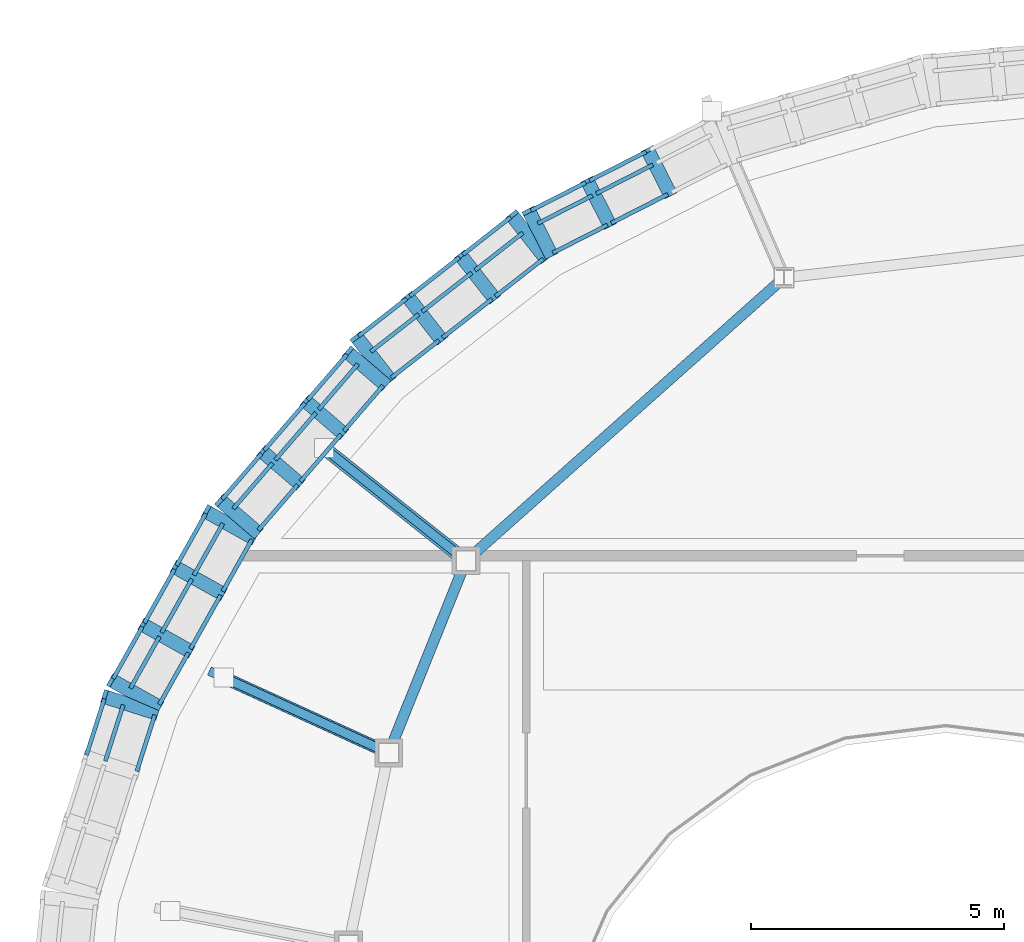
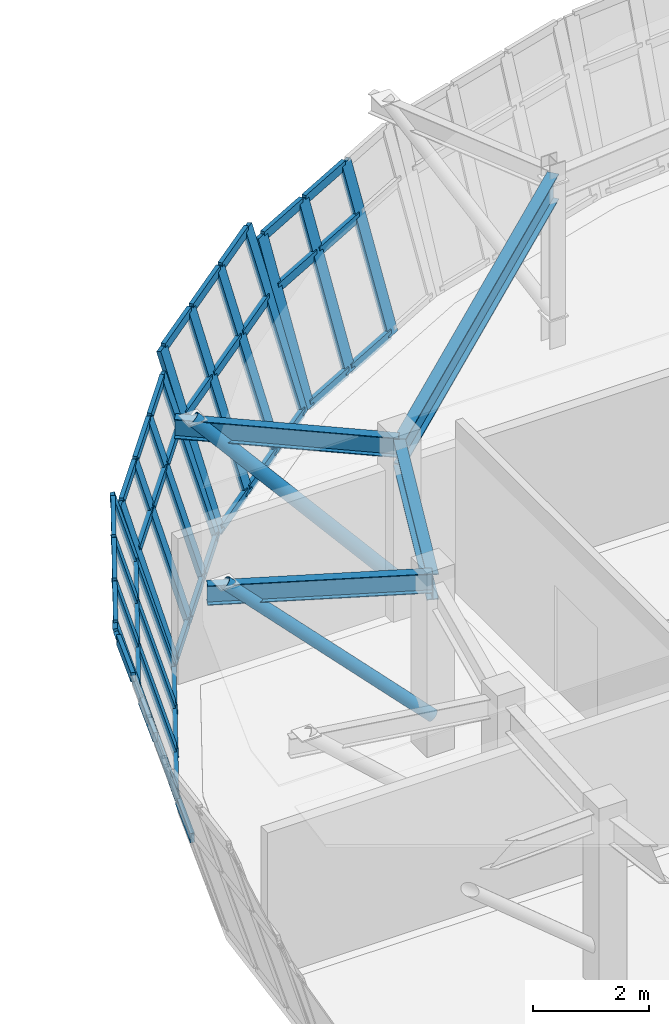
# One storey, part 24 of 111: 54 members, 4 beams, 5 elements without a shape of their own.
"""IFC4 building model written with IfcOpenShell, lengths in metres."""

from ifc_helpers import new_model, si_unit, direction, frame, origin, origin_2d, place, context, subcontext, project, spatial, rectangle, hollow_circle, i_section, extrude, material, material_profile, profile_set, type_object, element, aggregate, save


model = new_model("IFC4")

# Units and contexts
model_context = context("Model", 3, precision=1e-05, world=origin(), true_north=direction((0.0, 1.0)))
body_context = subcontext(model_context, "Body", "Model", "MODEL_VIEW")
ifc_project = project(units=[si_unit("LENGTHUNIT", "METRE"), si_unit("AREAUNIT", "SQUARE_METRE"), si_unit("VOLUMEUNIT", "CUBIC_METRE"), si_unit("PLANEANGLEUNIT", "RADIAN"), si_unit("MASSUNIT", "GRAM", prefix="KILO")], contexts=[model_context])

# Site, building, storey
site_placement = place(None, origin())
site = spatial("IfcSite", under=ifc_project, at=site_placement, CompositionType="ELEMENT")
building_placement = place(site_placement, origin())
building = spatial("IfcBuilding", under=site, at=building_placement, Name="Corveleigh Park Community Centre", CompositionType="ELEMENT")
storey_placement = place(building_placement, frame((0.0, 0.0, 4.800048828125)))
storey = spatial("IfcBuildingStorey", under=building, at=storey_placement, Name="L01", CompositionType="ELEMENT", Elevation=4.800048828125)

# Beams
ifc_material_1 = material(Name="Steel S355", Category="steel")
ifc_material_profile_1 = material_profile(ifc_material_1, i_section(OverallWidth=0.1787109375, OverallDepth=0.409423828125, WebThickness=0.0087890625, FlangeThickness=0.014404296875, at=origin_2d()), Name="UKB 406x178x67", Category="steel")
ifc_profile_set_1 = profile_set([ifc_material_profile_1], Name="Steel S355")
beam_type_1 = type_object("IfcBeamType", Name="BM-STL-UKB406x67", PredefinedType="BEAM", material=ifc_profile_set_1)
beam_1_placement = place(storey_placement, frame((17.7021484375, 38.206298828125, 3.482177734375), z_axis=(-0.783025443292, 0.621989674478, 0.0), x_axis=(-0.621989674478, -0.783025443292, 0.0)))
element("IfcBeam", 1, at=beam_1_placement, inside=storey, type_object=beam_type_1, Name="V1 Drum Overhang Radial Outrigger 14", PredefinedType="BEAM", context=body_context, shape_type="SweptSolid", body=[
    extrude(i_section(OverallWidth=0.1787109375, OverallDepth=0.409423828125, WebThickness=0.0087890625, FlangeThickness=0.014404296875, at=origin_2d()), origin(), (0.0, 0.0, 1.0), 3.89013671875),
])
beam_2_placement = place(storey_placement, frame((16.171875, 34.404296875, 3.482177734375), z_axis=(-0.909532782055, 0.415632191206, 0.0), x_axis=(-0.415632191206, -0.909532782055, 0.0)))
element("IfcBeam", 2, at=beam_2_placement, inside=storey, type_object=beam_type_1, Name="V1 Drum Overhang Radial Outrigger 15", PredefinedType="BEAM", context=body_context, shape_type="SweptSolid", body=[
    extrude(i_section(OverallWidth=0.1787109375, OverallDepth=0.409423828125, WebThickness=0.0087890625, FlangeThickness=0.014404296875, at=origin_2d()), origin(), (0.0, 0.0, 1.0), 3.8896484375),
])
ifc_material_profile_2 = material_profile(ifc_material_1, i_section(OverallWidth=0.210693359375, OverallDepth=0.53955078125, WebThickness=0.01171875, FlangeThickness=0.018798828125, at=origin_2d()), Name="UKB 533x210x109", Category="steel")
ifc_profile_set_2 = profile_set([ifc_material_profile_2], Name="Steel S355")
beam_type_2 = type_object("IfcBeamType", Name="BM-STL-UKB533x109", PredefinedType="BEAM", material=ifc_profile_set_2)
beam_3_placement = place(storey_placement, frame((23.996337890625, 43.796630859375, 3.34228515625), z_axis=(-0.746899880609, -0.664936514523, 0.0), x_axis=(0.664936514523, -0.746899880609, 0.0)))
element("IfcBeam", 3, at=beam_3_placement, inside=storey, type_object=beam_type_2, Name="V1 Drum Ring Girder", PredefinedType="BEAM", context=body_context, shape_type="SweptSolid", body=[
    extrude(i_section(OverallWidth=0.210693359375, OverallDepth=0.53955078125, WebThickness=0.01171875, FlangeThickness=0.018798828125, at=origin_2d()), origin(), (0.0, 0.0, 1.0), 8.41162109375),
])
beam_4_placement = place(storey_placement, frame((17.7080078125, 38.1953125, 3.34228515625), z_axis=(-0.373254520888, -0.927728981242, 0.0), x_axis=(0.927728981242, -0.373254520888, 0.0)))
element("IfcBeam", 4, at=beam_4_placement, inside=storey, type_object=beam_type_2, Name="V1 Drum Ring Girder", PredefinedType="BEAM", context=body_context, shape_type="SweptSolid", body=[
    extrude(i_section(OverallWidth=0.210693359375, OverallDepth=0.53955078125, WebThickness=0.01171875, FlangeThickness=0.018798828125, at=origin_2d()), origin(), (0.0, 0.0, 1.0), 4.086181640625),
])

# Curtain wall, members
ifc_material_2 = material(Name="Anodised aluminium 6063-T6", Category="aluminium")
curtain_wall_type = type_object("IfcCurtainWallType", Name="CW-SYS-V1-DRUM", PredefinedType="NOTDEFINED", material=ifc_material_2)
curtain_wall_1_placement = place(storey_placement, origin())
curtain_wall_1 = element("IfcCurtainWall", 5, at=curtain_wall_1_placement, inside=storey, type_object=curtain_wall_type, Name="Main Hall Flared Drum CW 172", PredefinedType="NOTDEFINED")
ifc_material_profile_3 = material_profile(ifc_material_2, rectangle(XDim=0.0849609375, YDim=0.27490234375, at=origin_2d()), Name="ALU-M85x275", Category="aluminium")
ifc_profile_set_3 = profile_set([ifc_material_profile_3], Name="Anodised aluminium 6063-T6")
member_type_1 = type_object("IfcMemberType", Name="CWM-85x275", PredefinedType="MULLION", material=ifc_profile_set_3)
member_1_placement = place(storey_placement, frame((21.746337890625, 45.4580078125, 0.0), z_axis=(-0.128879526709, 0.252956534902, 0.958855077186), x_axis=(0.435288932885, -0.854357421664, 0.283896003766)))
member_1 = element("IfcMember", 6, at=member_1_placement, type_object=member_type_1, Name="CW02 mullion 2", PredefinedType="MULLION", context=body_context, shape_type="SweptSolid", body=[
    extrude(rectangle(XDim=0.0849609375, YDim=0.27490234375, at=origin_2d()), origin(), (0.0, 0.0, 1.0), 3.406005859375),
])
member_2_placement = place(storey_placement, frame((20.55078125, 44.84912109375, 0.0), z_axis=(-0.128879526709, 0.252956534902, 0.958855077186), x_axis=(0.435288932885, -0.854357421664, 0.283896003766)))
member_2 = element("IfcMember", 7, at=member_2_placement, type_object=member_type_1, Name="CW02 mullion 3", PredefinedType="MULLION", context=body_context, shape_type="SweptSolid", body=[
    extrude(rectangle(XDim=0.0849609375, YDim=0.27490234375, at=origin_2d()), origin(), (0.0, 0.0, 1.0), 3.406005859375),
])
member_3_placement = place(storey_placement, frame((19.392822265625, 44.25927734375, 0.0), z_axis=(-0.128809036941, 0.252958871099, 0.958863932753), x_axis=(0.43510071475, -0.85446322891, 0.283866092489)))
member_3 = element("IfcMember", 8, at=member_3_placement, type_object=member_type_1, Name="CW02 mullion 4", PredefinedType="MULLION", context=body_context, shape_type="SweptSolid", body=[
    extrude(rectangle(XDim=0.0849609375, YDim=0.27490234375, at=origin_2d()), origin(), (0.0, 0.0, 1.0), 3.406005859375),
])

curtain_wall_2_placement = place(storey_placement, origin())
curtain_wall_2 = element("IfcCurtainWall", 9, at=curtain_wall_2_placement, inside=storey, type_object=curtain_wall_type, Name="Main Hall Flared Drum CW 173", PredefinedType="NOTDEFINED")
member_4_placement = place(storey_placement, frame((19.279541015625, 44.187744140625, 0.0), z_axis=(-0.174913502931, 0.223777816087, 0.958816330441), x_axis=(0.59047209918, -0.755427994987, 0.284026837606)))
member_4 = element("IfcMember", 10, at=member_4_placement, type_object=member_type_1, Name="CW02 mullion 1", PredefinedType="MULLION", context=body_context, shape_type="SweptSolid", body=[
    extrude(rectangle(XDim=0.0849609375, YDim=0.27490234375, at=origin_2d()), origin(), (0.0, 0.0, 1.0), 3.76708984375),
])
member_5_placement = place(storey_placement, frame((18.265625, 43.395263671875, 0.0), z_axis=(-0.174913502931, 0.223777816087, 0.958816330441), x_axis=(0.59047209918, -0.755427994987, 0.284026837606)))
member_5 = element("IfcMember", 11, at=member_5_placement, type_object=member_type_1, Name="CW02 mullion 2", PredefinedType="MULLION", context=body_context, shape_type="SweptSolid", body=[
    extrude(rectangle(XDim=0.0849609375, YDim=0.27490234375, at=origin_2d()), origin(), (0.0, 0.0, 1.0), 3.76708984375),
])
member_6_placement = place(storey_placement, frame((17.21826171875, 42.57666015625, 0.0), z_axis=(-0.174913502931, 0.223777816087, 0.958816330441), x_axis=(0.59047209918, -0.755427994987, 0.284026837606)))
member_6 = element("IfcMember", 12, at=member_6_placement, type_object=member_type_1, Name="CW02 mullion 3", PredefinedType="MULLION", context=body_context, shape_type="SweptSolid", body=[
    extrude(rectangle(XDim=0.0849609375, YDim=0.27490234375, at=origin_2d()), origin(), (0.0, 0.0, 1.0), 3.76708984375),
])
member_7_placement = place(storey_placement, frame((16.20458984375, 41.7841796875, 0.0), z_axis=(-0.174976325898, 0.223775279009, 0.958805459872), x_axis=(0.590601178312, -0.755313284708, 0.284063531838)))
member_7 = element("IfcMember", 13, at=member_7_placement, type_object=member_type_1, Name="CW02 mullion 4", PredefinedType="MULLION", context=body_context, shape_type="SweptSolid", body=[
    extrude(rectangle(XDim=0.0849609375, YDim=0.27490234375, at=origin_2d()), origin(), (0.0, 0.0, 1.0), 3.767333984375),
])

curtain_wall_3_placement = place(storey_placement, origin())
curtain_wall_3 = element("IfcCurtainWall", 14, at=curtain_wall_3_placement, inside=storey, type_object=curtain_wall_type, Name="Main Hall Flared Drum CW 174", PredefinedType="NOTDEFINED")
member_8_placement = place(storey_placement, frame((16.106201171875, 41.689697265625, 0.0), z_axis=(-0.21503772758, 0.185362521174, 0.958853227278), x_axis=(0.72626975594, -0.626044529621, 0.283902251732)))
member_8 = element("IfcMember", 15, at=member_8_placement, type_object=member_type_1, Name="CW02 mullion 1", PredefinedType="MULLION", context=body_context, shape_type="SweptSolid", body=[
    extrude(rectangle(XDim=0.0849609375, YDim=0.27490234375, at=origin_2d()), origin(), (0.0, 0.0, 1.0), 3.406005859375),
])
member_9_placement = place(storey_placement, frame((15.274658203125, 40.72509765625, 0.0), z_axis=(-0.21503772758, 0.185362521174, 0.958853227278), x_axis=(0.72626975594, -0.626044529621, 0.283902251732)))
member_9 = element("IfcMember", 16, at=member_9_placement, type_object=member_type_1, Name="CW02 mullion 2", PredefinedType="MULLION", context=body_context, shape_type="SweptSolid", body=[
    extrude(rectangle(XDim=0.0849609375, YDim=0.27490234375, at=origin_2d()), origin(), (0.0, 0.0, 1.0), 3.406005859375),
])
member_10_placement = place(storey_placement, frame((14.415283203125, 39.72802734375, 0.0), z_axis=(-0.21503772758, 0.185362521174, 0.958853227278), x_axis=(0.72626975594, -0.626044529621, 0.283902251732)))
member_10 = element("IfcMember", 17, at=member_10_placement, type_object=member_type_1, Name="CW02 mullion 3", PredefinedType="MULLION", context=body_context, shape_type="SweptSolid", body=[
    extrude(rectangle(XDim=0.0849609375, YDim=0.27490234375, at=origin_2d()), origin(), (0.0, 0.0, 1.0), 3.406005859375),
])
member_11_placement = place(storey_placement, frame((13.583740234375, 38.76318359375, 0.0), z_axis=(-0.21503772758, 0.185362521174, 0.958853227278), x_axis=(0.72626975594, -0.626044529621, 0.283902251732)))
member_11 = element("IfcMember", 18, at=member_11_placement, type_object=member_type_1, Name="CW02 mullion 4", PredefinedType="MULLION", context=body_context, shape_type="SweptSolid", body=[
    extrude(rectangle(XDim=0.0849609375, YDim=0.27490234375, at=origin_2d()), origin(), (0.0, 0.0, 1.0), 3.406005859375),
])

curtain_wall_4_placement = place(storey_placement, origin())
curtain_wall_4 = element("IfcCurtainWall", 19, at=curtain_wall_4_placement, inside=storey, type_object=curtain_wall_type, Name="Main Hall Flared Drum CW 175", PredefinedType="NOTDEFINED")
member_12_placement = place(storey_placement, frame((13.505126953125, 38.65087890625, 0.0), z_axis=(-0.247691050808, 0.139010283617, 0.958814520331), x_axis=(0.836134602223, -0.469259215534, 0.284032948092)))
member_12 = element("IfcMember", 20, at=member_12_placement, type_object=member_type_1, Name="CW02 mullion 1", PredefinedType="MULLION", context=body_context, shape_type="SweptSolid", body=[
    extrude(rectangle(XDim=0.0849609375, YDim=0.27490234375, at=origin_2d()), origin(), (0.0, 0.0, 1.0), 3.767333984375),
])
member_13_placement = place(storey_placement, frame((12.887939453125, 37.551025390625, 0.0), z_axis=(-0.247691050808, 0.139010283617, 0.958814520331), x_axis=(0.836134602223, -0.469259215534, 0.284032948092)))
member_13 = element("IfcMember", 21, at=member_13_placement, type_object=member_type_1, Name="CW02 mullion 2", PredefinedType="MULLION", context=body_context, shape_type="SweptSolid", body=[
    extrude(rectangle(XDim=0.0849609375, YDim=0.27490234375, at=origin_2d()), origin(), (0.0, 0.0, 1.0), 3.767333984375),
])
member_14_placement = place(storey_placement, frame((12.25, 36.4140625, 0.0), z_axis=(-0.247693281715, 0.138946728414, 0.958823156195), x_axis=(0.836235497404, -0.469097045116, 0.284003794242)))
member_14 = element("IfcMember", 22, at=member_14_placement, type_object=member_type_1, Name="CW02 mullion 3", PredefinedType="MULLION", context=body_context, shape_type="SweptSolid", body=[
    extrude(rectangle(XDim=0.0849609375, YDim=0.27490234375, at=origin_2d()), origin(), (0.0, 0.0, 1.0), 3.76708984375),
])
member_15_placement = place(storey_placement, frame((11.6328125, 35.31396484375, 0.0), z_axis=(-0.247691050808, 0.139010283617, 0.958814520331), x_axis=(0.836134602223, -0.469259215534, 0.284032948092)))
member_15 = element("IfcMember", 23, at=member_15_placement, type_object=member_type_1, Name="CW02 mullion 4", PredefinedType="MULLION", context=body_context, shape_type="SweptSolid", body=[
    extrude(rectangle(XDim=0.0849609375, YDim=0.27490234375, at=origin_2d()), origin(), (0.0, 0.0, 1.0), 3.767333984375),
])

# Curtain wall, member
curtain_wall_5_placement = place(storey_placement, origin())
curtain_wall_5 = element("IfcCurtainWall", 24, at=curtain_wall_5_placement, inside=storey, type_object=curtain_wall_type, Name="Main Hall Flared Drum CW 176", PredefinedType="NOTDEFINED")
member_16_placement = place(storey_placement, frame((11.578125, 35.1884765625, 0.0), z_axis=(-0.270633081512, 0.086193007282, 0.958816197551), x_axis=(0.913600188234, -0.290969408609, 0.284027286212)))
member_16 = element("IfcMember", 25, at=member_16_placement, type_object=member_type_1, Name="CW02 mullion 1", PredefinedType="MULLION", context=body_context, shape_type="SweptSolid", body=[
    extrude(rectangle(XDim=0.0849609375, YDim=0.27490234375, at=origin_2d()), origin(), (0.0, 0.0, 1.0), 3.76708984375),
])

# Member
ifc_material_profile_4 = material_profile(ifc_material_2, rectangle(XDim=0.080078125, YDim=0.195068359375, at=origin_2d()), Name="ALU-T80x195", Category="aluminium")
ifc_profile_set_4 = profile_set([ifc_material_profile_4], Name="Anodised aluminium 6063-T6")
member_type_2 = type_object("IfcMemberType", Name="CWT-80x195", PredefinedType="USERDEFINED", material=ifc_profile_set_4)
member_17_placement = place(storey_placement, frame((21.703125, 45.44921875, 0.0400390625), z_axis=(-0.89110027264, -0.453806461061, 0.0), x_axis=(0.453806461061, -0.89110027264, 0.0)))
member_17 = element("IfcMember", 26, at=member_17_placement, type_object=member_type_2, Name="CW02 transom 2.1", ObjectType="TRANSOM", PredefinedType="USERDEFINED", context=body_context, shape_type="SweptSolid", body=[
    extrude(rectangle(XDim=0.080078125, YDim=0.195068359375, at=origin_2d()), origin(), (0.0, 0.0, 1.0), 1.2568359375),
])

member_18_placement = place(storey_placement, frame((21.406005859375, 46.0322265625, 2.25), z_axis=(-0.89110027264, -0.453806461061, 0.0), x_axis=(0.453806461061, -0.89110027264, 0.0)))
member_18 = element("IfcMember", 27, at=member_18_placement, type_object=member_type_2, Name="CW02 transom 2.2", ObjectType="TRANSOM", PredefinedType="USERDEFINED", context=body_context, shape_type="SweptSolid", body=[
    extrude(rectangle(XDim=0.080078125, YDim=0.195068359375, at=origin_2d()), origin(), (0.0, 0.0, 1.0), 1.2568359375),
])

member_19_placement = place(storey_placement, frame((21.27490234375, 46.289794921875, 3.225830078125), z_axis=(-0.89110027264, -0.453806461061, 0.0), x_axis=(0.453806461061, -0.89110027264, 0.0)))
member_19 = element("IfcMember", 28, at=member_19_placement, type_object=member_type_2, Name="CW02 transom 2.3", ObjectType="TRANSOM", PredefinedType="USERDEFINED", context=body_context, shape_type="SweptSolid", body=[
    extrude(rectangle(XDim=0.080078125, YDim=0.195068359375, at=origin_2d()), origin(), (0.0, 0.0, 1.0), 1.2568359375),
])

member_20_placement = place(storey_placement, frame((20.50732421875, 44.84033203125, 0.0400390625), z_axis=(-0.891024153867, -0.453955897886, 0.0), x_axis=(0.453955897886, -0.891024153867, 0.0)))
member_20 = element("IfcMember", 29, at=member_20_placement, type_object=member_type_2, Name="CW02 transom 3.1", ObjectType="TRANSOM", PredefinedType="USERDEFINED", context=body_context, shape_type="SweptSolid", body=[
    extrude(rectangle(XDim=0.080078125, YDim=0.195068359375, at=origin_2d()), origin(), (0.0, 0.0, 1.0), 1.21435546875),
])

member_21_placement = place(storey_placement, frame((20.21044921875, 45.42333984375, 2.25), z_axis=(-0.891105466146, -0.453796262882, 0.0), x_axis=(0.453796262882, -0.891105466146, 0.0)))
member_21 = element("IfcMember", 30, at=member_21_placement, type_object=member_type_2, Name="CW02 transom 3.2", ObjectType="TRANSOM", PredefinedType="USERDEFINED", context=body_context, shape_type="SweptSolid", body=[
    extrude(rectangle(XDim=0.080078125, YDim=0.195068359375, at=origin_2d()), origin(), (0.0, 0.0, 1.0), 1.21435546875),
])

member_22_placement = place(storey_placement, frame((20.079345703125, 45.680908203125, 3.225830078125), z_axis=(-0.891024153867, -0.453955897886, 0.0), x_axis=(0.453955897886, -0.891024153867, 0.0)))
member_22 = element("IfcMember", 31, at=member_22_placement, type_object=member_type_2, Name="CW02 transom 3.3", ObjectType="TRANSOM", PredefinedType="USERDEFINED", context=body_context, shape_type="SweptSolid", body=[
    extrude(rectangle(XDim=0.080078125, YDim=0.195068359375, at=origin_2d()), origin(), (0.0, 0.0, 1.0), 1.21435546875),
])

aggregate(curtain_wall_1, [member_1, member_2, member_3, member_17, member_18, member_19, member_20, member_21, member_22])

member_23_placement = place(storey_placement, frame((19.23876953125, 44.1708984375, 0.0400390625), z_axis=(-0.787972015739, -0.61571105432, 0.0), x_axis=(0.61571105432, -0.787972015739, 0.0)))
member_23 = element("IfcMember", 32, at=member_23_placement, type_object=member_type_2, Name="CW02 transom 1.1", ObjectType="TRANSOM", PredefinedType="USERDEFINED", context=body_context, shape_type="SweptSolid", body=[
    extrude(rectangle(XDim=0.080078125, YDim=0.195068359375, at=origin_2d()), origin(), (0.0, 0.0, 1.0), 1.201904296875),
])

member_24_placement = place(storey_placement, frame((18.83544921875, 44.686767578125, 2.25), z_axis=(-0.787796412937, -0.615935720481, 0.0), x_axis=(0.615935720481, -0.787796412937, 0.0)))
member_24 = element("IfcMember", 33, at=member_24_placement, type_object=member_type_2, Name="CW02 transom 1.2", ObjectType="TRANSOM", PredefinedType="USERDEFINED", context=body_context, shape_type="SweptSolid", body=[
    extrude(rectangle(XDim=0.080078125, YDim=0.195068359375, at=origin_2d()), origin(), (0.0, 0.0, 1.0), 1.201904296875),
])

member_25_placement = place(storey_placement, frame((18.594482421875, 44.995361328125, 3.572021484375), z_axis=(-0.787873462952, -0.615837158977, 0.0), x_axis=(0.615837158977, -0.787873462952, 0.0)))
member_25 = element("IfcMember", 34, at=member_25_placement, type_object=member_type_2, Name="CW02 transom 1.3", ObjectType="TRANSOM", PredefinedType="USERDEFINED", context=body_context, shape_type="SweptSolid", body=[
    extrude(rectangle(XDim=0.080078125, YDim=0.195068359375, at=origin_2d()), origin(), (0.0, 0.0, 1.0), 1.201904296875),
])

member_26_placement = place(storey_placement, frame((18.224853515625, 43.37841796875, 0.0400390625), z_axis=(-0.787807166322, -0.615921966398, 0.0), x_axis=(0.615921966398, -0.787807166322, 0.0)))
member_26 = element("IfcMember", 35, at=member_26_placement, type_object=member_type_2, Name="CW02 transom 2.1", ObjectType="TRANSOM", PredefinedType="USERDEFINED", context=body_context, shape_type="SweptSolid", body=[
    extrude(rectangle(XDim=0.080078125, YDim=0.195068359375, at=origin_2d()), origin(), (0.0, 0.0, 1.0), 1.244140625),
])

member_27_placement = place(storey_placement, frame((17.82177734375, 43.894287109375, 2.25), z_axis=(-0.787881585535, -0.61582676718, 0.0), x_axis=(0.61582676718, -0.787881585535, 0.0)))
member_27 = element("IfcMember", 36, at=member_27_placement, type_object=member_type_2, Name="CW02 transom 2.2", ObjectType="TRANSOM", PredefinedType="USERDEFINED", context=body_context, shape_type="SweptSolid", body=[
    extrude(rectangle(XDim=0.080078125, YDim=0.195068359375, at=origin_2d()), origin(), (0.0, 0.0, 1.0), 1.244384765625),
])

member_28_placement = place(storey_placement, frame((17.58056640625, 44.202880859375, 3.572021484375), z_axis=(-0.787881585535, -0.61582676718, 0.0), x_axis=(0.61582676718, -0.787881585535, 0.0)))
member_28 = element("IfcMember", 37, at=member_28_placement, type_object=member_type_2, Name="CW02 transom 2.3", ObjectType="TRANSOM", PredefinedType="USERDEFINED", context=body_context, shape_type="SweptSolid", body=[
    extrude(rectangle(XDim=0.080078125, YDim=0.195068359375, at=origin_2d()), origin(), (0.0, 0.0, 1.0), 1.244384765625),
])

member_29_placement = place(storey_placement, frame((17.177490234375, 42.559814453125, 0.0400390625), z_axis=(-0.787796412937, -0.615935720481, 0.0), x_axis=(0.615935720481, -0.787796412937, 0.0)))
member_29 = element("IfcMember", 38, at=member_29_placement, type_object=member_type_2, Name="CW02 transom 3.1", ObjectType="TRANSOM", PredefinedType="USERDEFINED", context=body_context, shape_type="SweptSolid", body=[
    extrude(rectangle(XDim=0.080078125, YDim=0.195068359375, at=origin_2d()), origin(), (0.0, 0.0, 1.0), 1.201904296875),
])

member_30_placement = place(storey_placement, frame((16.7744140625, 43.07568359375, 2.25), z_axis=(-0.787873462952, -0.615837158977, 0.0), x_axis=(0.615837158977, -0.787873462952, 0.0)))
member_30 = element("IfcMember", 39, at=member_30_placement, type_object=member_type_2, Name="CW02 transom 3.2", ObjectType="TRANSOM", PredefinedType="USERDEFINED", context=body_context, shape_type="SweptSolid", body=[
    extrude(rectangle(XDim=0.080078125, YDim=0.195068359375, at=origin_2d()), origin(), (0.0, 0.0, 1.0), 1.201904296875),
])

member_31_placement = place(storey_placement, frame((16.533203125, 43.38427734375, 3.572021484375), z_axis=(-0.787796412937, -0.615935720481, 0.0), x_axis=(0.615935720481, -0.787796412937, 0.0)))
member_31 = element("IfcMember", 40, at=member_31_placement, type_object=member_type_2, Name="CW02 transom 3.3", ObjectType="TRANSOM", PredefinedType="USERDEFINED", context=body_context, shape_type="SweptSolid", body=[
    extrude(rectangle(XDim=0.080078125, YDim=0.195068359375, at=origin_2d()), origin(), (0.0, 0.0, 1.0), 1.201904296875),
])

aggregate(curtain_wall_2, [member_4, member_5, member_6, member_7, member_23, member_24, member_25, member_26, member_27, member_28, member_29, member_30, member_31])

member_32_placement = place(storey_placement, frame((16.069580078125, 41.665283203125, 0.0400390625), z_axis=(-0.652903056382, -0.757441482207, 0.0), x_axis=(0.757441482207, -0.652903056382, 0.0)))
member_32 = element("IfcMember", 41, at=member_32_placement, type_object=member_type_2, Name="CW02 transom 1.1", ObjectType="TRANSOM", PredefinedType="USERDEFINED", context=body_context, shape_type="SweptSolid", body=[
    extrude(rectangle(XDim=0.080078125, YDim=0.195068359375, at=origin_2d()), origin(), (0.0, 0.0, 1.0), 1.188720703125),
])

member_33_placement = place(storey_placement, frame((15.573974609375, 42.092529296875, 2.25), z_axis=(-0.652903056382, -0.757441482207, 0.0), x_axis=(0.757441482207, -0.652903056382, 0.0)))
member_33 = element("IfcMember", 42, at=member_33_placement, type_object=member_type_2, Name="CW02 transom 1.2", ObjectType="TRANSOM", PredefinedType="USERDEFINED", context=body_context, shape_type="SweptSolid", body=[
    extrude(rectangle(XDim=0.080078125, YDim=0.195068359375, at=origin_2d()), origin(), (0.0, 0.0, 1.0), 1.188720703125),
])

member_34_placement = place(storey_placement, frame((15.35498046875, 42.28125, 3.225830078125), z_axis=(-0.652903056382, -0.757441482207, 0.0), x_axis=(0.757441482207, -0.652903056382, 0.0)))
member_34 = element("IfcMember", 43, at=member_34_placement, type_object=member_type_2, Name="CW02 transom 1.3", ObjectType="TRANSOM", PredefinedType="USERDEFINED", context=body_context, shape_type="SweptSolid", body=[
    extrude(rectangle(XDim=0.080078125, YDim=0.195068359375, at=origin_2d()), origin(), (0.0, 0.0, 1.0), 1.188720703125),
])

member_35_placement = place(storey_placement, frame((15.238037109375, 40.700439453125, 0.0400390625), z_axis=(-0.65292785518, -0.757420105311, 0.0), x_axis=(0.757420105311, -0.65292785518, 0.0)))
member_35 = element("IfcMember", 44, at=member_35_placement, type_object=member_type_2, Name="CW02 transom 2.1", ObjectType="TRANSOM", PredefinedType="USERDEFINED", context=body_context, shape_type="SweptSolid", body=[
    extrude(rectangle(XDim=0.080078125, YDim=0.195068359375, at=origin_2d()), origin(), (0.0, 0.0, 1.0), 1.231201171875),
])

member_36_placement = place(storey_placement, frame((14.7421875, 41.127685546875, 2.25), z_axis=(-0.65281408421, -0.75751816576, 0.0), x_axis=(0.75751816576, -0.65281408421, 0.0)))
member_36 = element("IfcMember", 45, at=member_36_placement, type_object=member_type_2, Name="CW02 transom 2.2", ObjectType="TRANSOM", PredefinedType="USERDEFINED", context=body_context, shape_type="SweptSolid", body=[
    extrude(rectangle(XDim=0.080078125, YDim=0.195068359375, at=origin_2d()), origin(), (0.0, 0.0, 1.0), 1.231201171875),
])

member_37_placement = place(storey_placement, frame((14.5234375, 41.31640625, 3.225830078125), z_axis=(-0.65292785518, -0.757420105311, 0.0), x_axis=(0.757420105311, -0.65292785518, 0.0)))
member_37 = element("IfcMember", 46, at=member_37_placement, type_object=member_type_2, Name="CW02 transom 2.3", ObjectType="TRANSOM", PredefinedType="USERDEFINED", context=body_context, shape_type="SweptSolid", body=[
    extrude(rectangle(XDim=0.080078125, YDim=0.195068359375, at=origin_2d()), origin(), (0.0, 0.0, 1.0), 1.231201171875),
])

member_38_placement = place(storey_placement, frame((14.378662109375, 39.70361328125, 0.0400390625), z_axis=(-0.652903056382, -0.757441482207, 0.0), x_axis=(0.757441482207, -0.652903056382, 0.0)))
member_38 = element("IfcMember", 47, at=member_38_placement, type_object=member_type_2, Name="CW02 transom 3.1", ObjectType="TRANSOM", PredefinedType="USERDEFINED", context=body_context, shape_type="SweptSolid", body=[
    extrude(rectangle(XDim=0.080078125, YDim=0.195068359375, at=origin_2d()), origin(), (0.0, 0.0, 1.0), 1.188720703125),
])

member_39_placement = place(storey_placement, frame((13.883056640625, 40.130859375, 2.25), z_axis=(-0.652801498532, -0.757529011665, 0.0), x_axis=(0.757529011665, -0.652801498532, 0.0)))
member_39 = element("IfcMember", 48, at=member_39_placement, type_object=member_type_2, Name="CW02 transom 3.2", ObjectType="TRANSOM", PredefinedType="USERDEFINED", context=body_context, shape_type="SweptSolid", body=[
    extrude(rectangle(XDim=0.080078125, YDim=0.195068359375, at=origin_2d()), origin(), (0.0, 0.0, 1.0), 1.18896484375),
])

member_40_placement = place(storey_placement, frame((13.6640625, 40.3193359375, 3.225830078125), z_axis=(-0.652903056382, -0.757441482207, 0.0), x_axis=(0.757441482207, -0.652903056382, 0.0)))
member_40 = element("IfcMember", 49, at=member_40_placement, type_object=member_type_2, Name="CW02 transom 3.3", ObjectType="TRANSOM", PredefinedType="USERDEFINED", context=body_context, shape_type="SweptSolid", body=[
    extrude(rectangle(XDim=0.080078125, YDim=0.195068359375, at=origin_2d()), origin(), (0.0, 0.0, 1.0), 1.188720703125),
])

aggregate(curtain_wall_3, [member_8, member_9, member_10, member_11, member_32, member_33, member_34, member_35, member_36, member_37, member_38, member_39, member_40])

member_41_placement = place(storey_placement, frame((13.47412109375, 38.61962890625, 0.0400390625), z_axis=(-0.489374177373, -0.872073915743, 0.0), x_axis=(0.872073915743, -0.489374177373, 0.0)))
member_41 = element("IfcMember", 50, at=member_41_placement, type_object=member_type_2, Name="CW02 transom 1.1", ObjectType="TRANSOM", PredefinedType="USERDEFINED", context=body_context, shape_type="SweptSolid", body=[
    extrude(rectangle(XDim=0.080078125, YDim=0.195068359375, at=origin_2d()), origin(), (0.0, 0.0, 1.0), 1.17626953125),
])

member_42_placement = place(storey_placement, frame((12.903076171875, 38.93994140625, 2.25), z_axis=(-0.489304892071, -0.872112792359, 0.0), x_axis=(0.872112792359, -0.489304892071, 0.0)))
member_42 = element("IfcMember", 51, at=member_42_placement, type_object=member_type_2, Name="CW02 transom 1.2", ObjectType="TRANSOM", PredefinedType="USERDEFINED", context=body_context, shape_type="SweptSolid", body=[
    extrude(rectangle(XDim=0.080078125, YDim=0.195068359375, at=origin_2d()), origin(), (0.0, 0.0, 1.0), 1.176025390625),
])

member_43_placement = place(storey_placement, frame((12.5615234375, 39.131591796875, 3.572021484375), z_axis=(-0.489304892071, -0.872112792359, 0.0), x_axis=(0.872112792359, -0.489304892071, 0.0)))
member_43 = element("IfcMember", 52, at=member_43_placement, type_object=member_type_2, Name="CW02 transom 1.3", ObjectType="TRANSOM", PredefinedType="USERDEFINED", context=body_context, shape_type="SweptSolid", body=[
    extrude(rectangle(XDim=0.080078125, YDim=0.195068359375, at=origin_2d()), origin(), (0.0, 0.0, 1.0), 1.176025390625),
])

member_44_placement = place(storey_placement, frame((12.85693359375, 37.519775390625, 0.0400390625), z_axis=(-0.489329007134, -0.872099261998, 0.0), x_axis=(0.872099261998, -0.489329007134, 0.0)))
member_44 = element("IfcMember", 53, at=member_44_placement, type_object=member_type_2, Name="CW02 transom 2.1", ObjectType="TRANSOM", PredefinedType="USERDEFINED", context=body_context, shape_type="SweptSolid", body=[
    extrude(rectangle(XDim=0.080078125, YDim=0.195068359375, at=origin_2d()), origin(), (0.0, 0.0, 1.0), 1.218994140625),
])

member_45_placement = place(storey_placement, frame((12.285888671875, 37.840087890625, 2.25), z_axis=(-0.489414495752, -0.872051289402, 0.0), x_axis=(0.872051289402, -0.489414495752, 0.0)))
member_45 = element("IfcMember", 54, at=member_45_placement, type_object=member_type_2, Name="CW02 transom 2.2", ObjectType="TRANSOM", PredefinedType="USERDEFINED", context=body_context, shape_type="SweptSolid", body=[
    extrude(rectangle(XDim=0.080078125, YDim=0.195068359375, at=origin_2d()), origin(), (0.0, 0.0, 1.0), 1.21875),
])

member_46_placement = place(storey_placement, frame((11.9443359375, 38.03173828125, 3.572021484375), z_axis=(-0.489329007134, -0.872099261998, 0.0), x_axis=(0.872099261998, -0.489329007134, 0.0)))
member_46 = element("IfcMember", 55, at=member_46_placement, type_object=member_type_2, Name="CW02 transom 2.3", ObjectType="TRANSOM", PredefinedType="USERDEFINED", context=body_context, shape_type="SweptSolid", body=[
    extrude(rectangle(XDim=0.080078125, YDim=0.195068359375, at=origin_2d()), origin(), (0.0, 0.0, 1.0), 1.218994140625),
])

member_47_placement = place(storey_placement, frame((12.21875, 36.3828125, 0.0400390625), z_axis=(-0.489216318136, -0.872162481462, 0.0), x_axis=(0.872162481462, -0.489216318136, 0.0)))
member_47 = element("IfcMember", 56, at=member_47_placement, type_object=member_type_2, Name="CW02 transom 3.1", ObjectType="TRANSOM", PredefinedType="USERDEFINED", context=body_context, shape_type="SweptSolid", body=[
    extrude(rectangle(XDim=0.080078125, YDim=0.195068359375, at=origin_2d()), origin(), (0.0, 0.0, 1.0), 1.17626953125),
])

member_48_placement = place(storey_placement, frame((11.64794921875, 36.703125, 2.25), z_axis=(-0.489374177373, -0.872073915743, 0.0), x_axis=(0.872073915743, -0.489374177373, 0.0)))
member_48 = element("IfcMember", 57, at=member_48_placement, type_object=member_type_2, Name="CW02 transom 3.2", ObjectType="TRANSOM", PredefinedType="USERDEFINED", context=body_context, shape_type="SweptSolid", body=[
    extrude(rectangle(XDim=0.080078125, YDim=0.195068359375, at=origin_2d()), origin(), (0.0, 0.0, 1.0), 1.17626953125),
])

member_49_placement = place(storey_placement, frame((11.306396484375, 36.894775390625, 3.572021484375), z_axis=(-0.489374177373, -0.872073915743, 0.0), x_axis=(0.872073915743, -0.489374177373, 0.0)))
member_49 = element("IfcMember", 58, at=member_49_placement, type_object=member_type_2, Name="CW02 transom 3.3", ObjectType="TRANSOM", PredefinedType="USERDEFINED", context=body_context, shape_type="SweptSolid", body=[
    extrude(rectangle(XDim=0.080078125, YDim=0.195068359375, at=origin_2d()), origin(), (0.0, 0.0, 1.0), 1.17626953125),
])

aggregate(curtain_wall_4, [member_12, member_13, member_14, member_15, member_41, member_42, member_43, member_44, member_45, member_46, member_47, member_48, member_49])

member_50_placement = place(storey_placement, frame((11.553955078125, 35.151611328125, 0.0400390625), z_axis=(-0.303462619097, -0.952843344318, 0.0), x_axis=(0.952843344318, -0.303462619097, 0.0)))
member_50 = element("IfcMember", 59, at=member_50_placement, type_object=member_type_2, Name="CW02 transom 1.1", ObjectType="TRANSOM", PredefinedType="USERDEFINED", context=body_context, shape_type="SweptSolid", body=[
    extrude(rectangle(XDim=0.080078125, YDim=0.195068359375, at=origin_2d()), origin(), (0.0, 0.0, 1.0), 1.167236328125),
])

member_51_placement = place(storey_placement, frame((10.93017578125, 35.350341796875, 2.25), z_axis=(-0.303462619097, -0.952843344318, 0.0), x_axis=(0.952843344318, -0.303462619097, 0.0)))
member_51 = element("IfcMember", 60, at=member_51_placement, type_object=member_type_2, Name="CW02 transom 1.2", ObjectType="TRANSOM", PredefinedType="USERDEFINED", context=body_context, shape_type="SweptSolid", body=[
    extrude(rectangle(XDim=0.080078125, YDim=0.195068359375, at=origin_2d()), origin(), (0.0, 0.0, 1.0), 1.167236328125),
])

member_52_placement = place(storey_placement, frame((10.556884765625, 35.46923828125, 3.572021484375), z_axis=(-0.303462619097, -0.952843344318, 0.0), x_axis=(0.952843344318, -0.303462619097, 0.0)))
member_52 = element("IfcMember", 61, at=member_52_placement, type_object=member_type_2, Name="CW02 transom 1.3", ObjectType="TRANSOM", PredefinedType="USERDEFINED", context=body_context, shape_type="SweptSolid", body=[
    extrude(rectangle(XDim=0.080078125, YDim=0.195068359375, at=origin_2d()), origin(), (0.0, 0.0, 1.0), 1.167236328125),
])

aggregate(curtain_wall_5, [member_16, member_50, member_51, member_52])

# Members
ifc_material_profile_5 = material_profile(ifc_material_1, hollow_circle(Radius=0.122314453125, WallThickness=0.012451171875, at=origin_2d()), Name="CHS 244.5x12.5", Category="steel")
ifc_profile_set_5 = profile_set([ifc_material_profile_5], Name="Steel S355")
member_type_3 = type_object("IfcMemberType", Name="MEM-STR-CHS245", PredefinedType="STRUT", material=ifc_profile_set_5)
member_53_placement = place(storey_placement, frame((16.180908203125, 34.39990234375, 0.64990234375), z_axis=(-0.69484724744, 0.317555330143, 0.64524872338), x_axis=(-0.415663262475, -0.909518582674, 0.0)))
element("IfcMember", 62, at=member_53_placement, inside=storey, type_object=member_type_3, Name="V1 Conical Overhang Raking Strut 15", PredefinedType="STRUT", context=body_context, shape_type="SweptSolid", body=[
    extrude(hollow_circle(Radius=0.122314453125, WallThickness=0.012451171875, at=origin_2d()), origin(), (0.0, 0.0, 1.0), 4.69580078125),
])
ifc_material_profile_6 = material_profile(ifc_material_1, hollow_circle(Radius=0.136474609375, WallThickness=0.012451171875, at=origin_2d()), Name="CHS 273.0x12.5", Category="steel")
ifc_profile_set_6 = profile_set([ifc_material_profile_6], Name="Steel S355")
member_type_4 = type_object("IfcMemberType", Name="MEM-STR-CHS273E", PredefinedType="STRUT", material=ifc_profile_set_6)
member_54_placement = place(storey_placement, frame((17.7099609375, 38.199951171875, 0.64990234375), z_axis=(-0.59830430344, 0.475212679587, 0.645139418766), x_axis=(-0.621953313517, -0.783054324938, 0.0)))
element("IfcMember", 63, at=member_54_placement, inside=storey, type_object=member_type_4, Name="V1 Conical Overhang Raking Strut 14", PredefinedType="STRUT", context=body_context, shape_type="SweptSolid", body=[
    extrude(hollow_circle(Radius=0.136474609375, WallThickness=0.012451171875, at=origin_2d()), origin(), (0.0, 0.0, 1.0), 4.69677734375),
])

save(model, "model.ifc")
